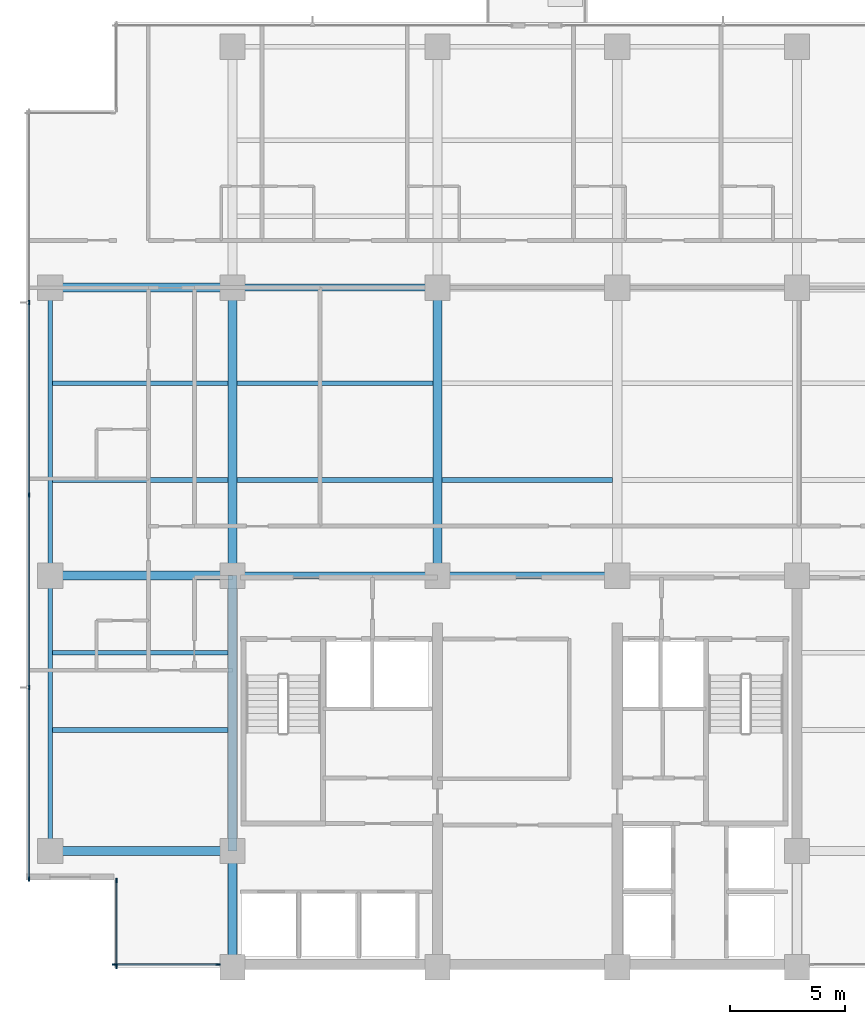
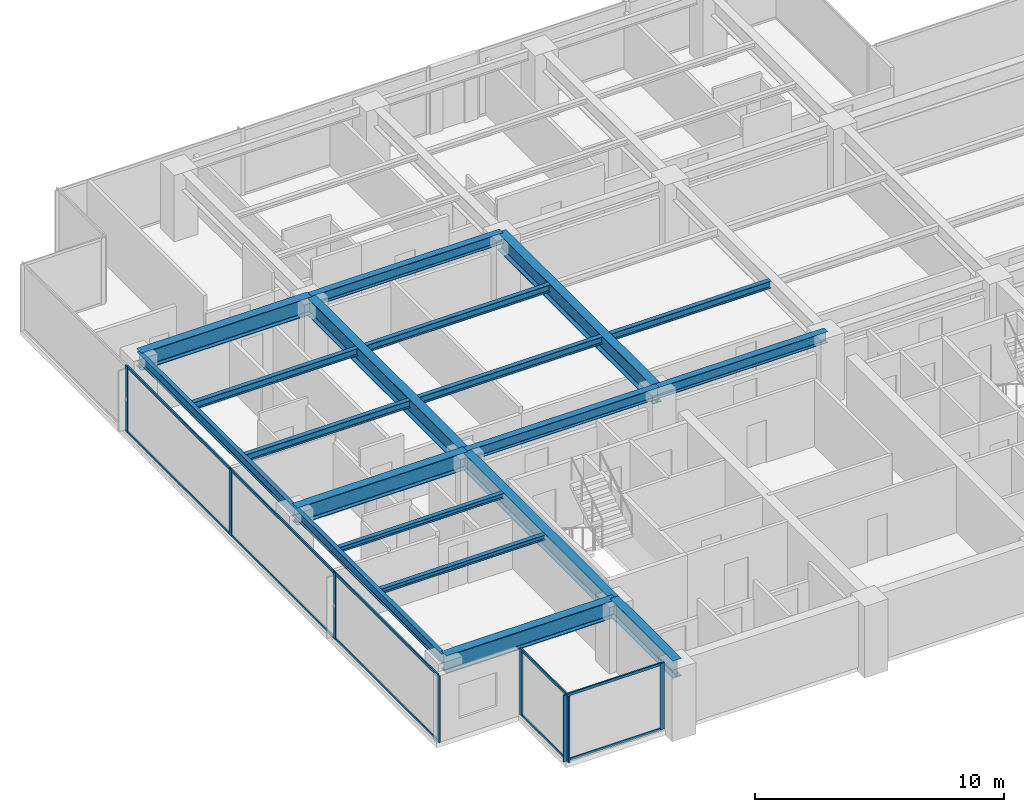
# One storey, part 2 of 15: 19 beams, 18 members, 3 elements without a shape of their own.
"""IFC4 building model written with IfcOpenShell, lengths in metres."""

from ifc_helpers import new_model, si_unit, direction, frame, origin, origin_2d, place, context, subcontext, project, spatial, rectangle, i_section, extrude, material, layer, layer_set, material_profile, profile_set, type_object, element, aggregate, save


model = new_model("IFC4")

# Units and contexts
model_context = context("Model", 3, precision=1e-05, world=origin(), true_north=direction((0.0, 1.0)))
body_context = subcontext(model_context, "Body", "Model", "MODEL_VIEW")
ifc_project = project(units=[si_unit("LENGTHUNIT", "METRE"), si_unit("AREAUNIT", "SQUARE_METRE"), si_unit("VOLUMEUNIT", "CUBIC_METRE"), si_unit("PLANEANGLEUNIT", "RADIAN"), si_unit("MASSUNIT", "GRAM", prefix="KILO")], contexts=[model_context])

# Site, building, storey
site_placement = place(None, origin())
site = spatial("IfcSite", under=ifc_project, at=site_placement, CompositionType="ELEMENT")
building_placement = place(site_placement, origin())
building = spatial("IfcBuilding", under=site, at=building_placement, Name="Qalmaran Belvedere Hotel", CompositionType="ELEMENT")
storey_placement = place(building_placement, frame((0.0, 0.0, 170.10009765625)))
storey = spatial("IfcBuildingStorey", under=building, at=storey_placement, Name="L43", CompositionType="ELEMENT", Elevation=170.10009765625)

# Beams
ifc_material_1 = material(Name="Steel S355JR", Category="steel")
ifc_material_profile_1 = material_profile(ifc_material_1, i_section(OverallWidth=0.201904296875, OverallDepth=0.2470703125, WebThickness=0.00732421875, FlangeThickness=0.010986328125, FilletRadius=0.011962890625, at=origin_2d()), Name="W250X49")
ifc_profile_set_1 = profile_set([ifc_material_profile_1], Name="Steel S355JR")
beam_type_1 = type_object("IfcBeamType", Name="BM-JST-W250X49", PredefinedType="JOIST", material=ifc_profile_set_1)
for number, where, z_axis, x_axis, name in (
    (1, (12.493896484375, 13.800048828125, 3.12646484375), (1.0, 0.0, 0.0), (0.0, 1.0, 0.0), "L43 West Wing Joist 038"),
    (2, (12.493896484375, 17.14990234375, 3.12646484375), (1.0, 0.0, 0.0), (0.0, 1.0, 0.0), "L43 West Wing Joist 040"),
):
    element("IfcBeam", number, at=place(storey_placement, frame(where, z_axis=z_axis, x_axis=x_axis)), inside=storey, type_object=beam_type_1, Name=name, PredefinedType="JOIST", context=body_context, shape_type="SweptSolid", body=[
        extrude(i_section(OverallWidth=0.201904296875, OverallDepth=0.2470703125, WebThickness=0.00732421875, FlangeThickness=0.010986328125, FilletRadius=0.011962890625, at=origin_2d()), origin(), (0.0, 0.0, 1.0), 7.608154296875),
    ])
ifc_material_profile_2 = material_profile(ifc_material_1, i_section(OverallWidth=0.39990234375, OverallDepth=0.85498046875, WebThickness=0.018310546875, FlangeThickness=0.029296875, FilletRadius=0.02392578125, at=origin_2d()), Name="W840X299")
ifc_profile_set_2 = profile_set([ifc_material_profile_2], Name="Steel S355JR")
beam_type_2 = type_object("IfcBeamType", Name="BM-PG3-W840X299", PredefinedType="USERDEFINED", material=ifc_profile_set_2)
for number, where, z_axis, x_axis, name in (
    (3, (20.300048828125, 20.5, 2.822509765625), (0.0, 1.0, 0.0), (-1.0, 0.0, 0.0), "L43 Mid-Plate N-S Girder 14"),
    (4, (29.199951171875, 20.5, 2.822509765625), (0.0, 1.0, 0.0), (-1.0, 0.0, 0.0), "L43 Mid-Plate N-S Girder 16"),
):
    element("IfcBeam", number, at=place(storey_placement, frame(where, z_axis=z_axis, x_axis=x_axis)), inside=storey, type_object=beam_type_2, Name=name, ObjectType="GIRDER", PredefinedType="USERDEFINED", context=body_context, shape_type="SweptSolid", body=[
        extrude(i_section(OverallWidth=0.39990234375, OverallDepth=0.85498046875, WebThickness=0.018310546875, FlangeThickness=0.029296875, FilletRadius=0.02392578125, at=origin_2d()), origin(), (0.0, 0.0, 1.0), 12.5),
    ])
for number, where, z_axis, x_axis, name in (
    (5, (12.39990234375, 8.550048828125, 2.822509765625), (1.0, 0.0, 0.0), (0.0, 1.0, 0.0), "L43 West Wing Girder 22"),
    (6, (12.39990234375, 20.5, 2.822509765625), (1.0, 0.0, 0.0), (0.0, 1.0, 0.0), "L43 West Wing Girder 23"),
    (7, (12.39990234375, 33.0, 2.822509765625), (1.0, 0.0, 0.0), (0.0, 1.0, 0.0), "L43 West Wing Girder 24"),
):
    element("IfcBeam", number, at=place(storey_placement, frame(where, z_axis=z_axis, x_axis=x_axis)), inside=storey, type_object=beam_type_2, Name=name, ObjectType="GIRDER", PredefinedType="USERDEFINED", context=body_context, shape_type="SweptSolid", body=[
        extrude(i_section(OverallWidth=0.39990234375, OverallDepth=0.85498046875, WebThickness=0.018310546875, FlangeThickness=0.029296875, FilletRadius=0.02392578125, at=origin_2d()), origin(), (0.0, 0.0, 1.0), 7.900146484375),
    ])
beam_1_placement = place(storey_placement, frame((20.300048828125, 3.5, 2.822509765625), z_axis=(0.0, 1.0, 0.0), x_axis=(-1.0, 0.0, 0.0)))
element("IfcBeam", 8, at=beam_1_placement, inside=storey, type_object=beam_type_2, Name="L43 West Core Edge Girder A", ObjectType="GIRDER", PredefinedType="USERDEFINED", context=body_context, shape_type="SweptSolid", body=[
    extrude(i_section(OverallWidth=0.39990234375, OverallDepth=0.85498046875, WebThickness=0.018310546875, FlangeThickness=0.029296875, FilletRadius=0.02392578125, at=origin_2d()), origin(), (0.0, 0.0, 1.0), 5.050048828125),
])
beam_2_placement = place(storey_placement, frame((20.300048828125, 8.550048828125, 2.822509765625), z_axis=(0.0, 1.0, 0.0), x_axis=(-1.0, 0.0, 0.0)))
element("IfcBeam", 9, at=beam_2_placement, inside=storey, type_object=beam_type_2, Name="L43 West Core Edge Girder B", ObjectType="GIRDER", PredefinedType="USERDEFINED", context=body_context, shape_type="SweptSolid", body=[
    extrude(i_section(OverallWidth=0.39990234375, OverallDepth=0.85498046875, WebThickness=0.018310546875, FlangeThickness=0.029296875, FilletRadius=0.02392578125, at=origin_2d()), origin(), (0.0, 0.0, 1.0), 11.949951171875),
])
ifc_material_profile_3 = material_profile(ifc_material_1, i_section(OverallWidth=0.205078125, OverallDepth=0.35400390625, WebThickness=0.009521484375, FlangeThickness=0.016845703125, FilletRadius=0.014892578125, at=origin_2d()), Name="W360X79")
ifc_profile_set_3 = profile_set([ifc_material_profile_3], Name="Steel S355JR")
beam_type_3 = type_object("IfcBeamType", Name="BM-SB3-W360X79", PredefinedType="BEAM", material=ifc_profile_set_3)
beam_3_placement = place(storey_placement, frame((12.493896484375, 24.64990234375, 3.072998046875), z_axis=(1.0, 0.0, 0.0), x_axis=(0.0, 1.0, 0.0)))
element("IfcBeam", 10, at=beam_3_placement, inside=storey, type_object=beam_type_3, Name="L43 West Secondary Beam 028", PredefinedType="BEAM", context=body_context, shape_type="SweptSolid", body=[
    extrude(i_section(OverallWidth=0.205078125, OverallDepth=0.35400390625, WebThickness=0.009521484375, FlangeThickness=0.016845703125, FilletRadius=0.014892578125, at=origin_2d()), origin(), (0.0, 0.0, 1.0), 7.608154296875),
])
beam_4_placement = place(storey_placement, frame((20.498046875, 24.64990234375, 3.072998046875), z_axis=(1.0, 0.0, 0.0), x_axis=(0.0, 1.0, 0.0)))
element("IfcBeam", 11, at=beam_4_placement, inside=storey, type_object=beam_type_3, Name="L43 Secondary Floor Beam 029", PredefinedType="BEAM", context=body_context, shape_type="SweptSolid", body=[
    extrude(i_section(OverallWidth=0.205078125, OverallDepth=0.35400390625, WebThickness=0.009521484375, FlangeThickness=0.016845703125, FilletRadius=0.014892578125, at=origin_2d()), origin(), (0.0, 0.0, 1.0), 8.50390625),
])
beam_5_placement = place(storey_placement, frame((29.39794921875, 24.64990234375, 3.072998046875), z_axis=(1.0, 0.0, 0.0), x_axis=(0.0, 1.0, 0.0)))
element("IfcBeam", 12, at=beam_5_placement, inside=storey, type_object=beam_type_3, Name="L43 Secondary Floor Beam 030", PredefinedType="BEAM", context=body_context, shape_type="SweptSolid", body=[
    extrude(i_section(OverallWidth=0.205078125, OverallDepth=0.35400390625, WebThickness=0.009521484375, FlangeThickness=0.016845703125, FilletRadius=0.014892578125, at=origin_2d()), origin(), (0.0, 0.0, 1.0), 7.404052734375),
])
beam_6_placement = place(storey_placement, frame((12.493896484375, 28.85009765625, 3.072998046875), z_axis=(1.0, 0.0, 0.0), x_axis=(0.0, 1.0, 0.0)))
element("IfcBeam", 13, at=beam_6_placement, inside=storey, type_object=beam_type_3, Name="L43 West Secondary Beam 033", PredefinedType="BEAM", context=body_context, shape_type="SweptSolid", body=[
    extrude(i_section(OverallWidth=0.205078125, OverallDepth=0.35400390625, WebThickness=0.009521484375, FlangeThickness=0.016845703125, FilletRadius=0.014892578125, at=origin_2d()), origin(), (0.0, 0.0, 1.0), 7.608154296875),
])
beam_7_placement = place(storey_placement, frame((20.498046875, 28.85009765625, 3.072998046875), z_axis=(1.0, 0.0, 0.0), x_axis=(0.0, 1.0, 0.0)))
element("IfcBeam", 14, at=beam_7_placement, inside=storey, type_object=beam_type_3, Name="L43 Secondary Floor Beam 034", PredefinedType="BEAM", context=body_context, shape_type="SweptSolid", body=[
    extrude(i_section(OverallWidth=0.205078125, OverallDepth=0.35400390625, WebThickness=0.009521484375, FlangeThickness=0.016845703125, FilletRadius=0.014892578125, at=origin_2d()), origin(), (0.0, 0.0, 1.0), 8.50390625),
])
ifc_material_profile_4 = material_profile(ifc_material_1, i_section(OverallWidth=0.19189453125, OverallDepth=0.462890625, WebThickness=0.010498046875, FlangeThickness=0.017578125, FilletRadius=0.01611328125, at=origin_2d()), Name="W460X89")
ifc_profile_set_4 = profile_set([ifc_material_profile_4], Name="Steel S355JR")
beam_type_4 = type_object("IfcBeamType", Name="BM-SP2-W460X89", PredefinedType="SPANDREL", material=ifc_profile_set_4)
beam_8_placement = place(storey_placement, frame((12.39990234375, 8.550048828125, 3.018310546875), z_axis=(0.0, 1.0, 0.0), x_axis=(-1.0, 0.0, 0.0)))
element("IfcBeam", 15, at=beam_8_placement, inside=storey, type_object=beam_type_4, Name="L43 Perimeter Spandrel 01", PredefinedType="SPANDREL", context=body_context, shape_type="SweptSolid", body=[
    extrude(i_section(OverallWidth=0.19189453125, OverallDepth=0.462890625, WebThickness=0.010498046875, FlangeThickness=0.017578125, FilletRadius=0.01611328125, at=origin_2d()), origin(), (0.0, 0.0, 1.0), 11.949951171875),
])
beam_9_placement = place(storey_placement, frame((12.39990234375, 20.5, 3.018310546875), z_axis=(0.0, 1.0, 0.0), x_axis=(-1.0, 0.0, 0.0)))
element("IfcBeam", 16, at=beam_9_placement, inside=storey, type_object=beam_type_4, Name="L43 Perimeter Spandrel 02", PredefinedType="SPANDREL", context=body_context, shape_type="SweptSolid", body=[
    extrude(i_section(OverallWidth=0.19189453125, OverallDepth=0.462890625, WebThickness=0.010498046875, FlangeThickness=0.017578125, FilletRadius=0.01611328125, at=origin_2d()), origin(), (0.0, 0.0, 1.0), 12.5),
])
ifc_material_profile_5 = material_profile(ifc_material_1, i_section(OverallWidth=0.31201171875, OverallDepth=0.54296875, WebThickness=0.0126953125, FlangeThickness=0.020263671875, FilletRadius=0.01806640625, at=origin_2d()), Name="W530X150")
ifc_profile_set_5 = profile_set([ifc_material_profile_5], Name="Steel S355JR")
beam_type_5 = type_object("IfcBeamType", Name="BM-Z3-W530X150", PredefinedType="USERDEFINED", material=ifc_profile_set_5)
beam_10_placement = place(storey_placement, frame((20.300048828125, 20.5, 2.978515625), z_axis=(1.0, 0.0, 0.0), x_axis=(0.0, 1.0, 0.0)))
element("IfcBeam", 17, at=beam_10_placement, inside=storey, type_object=beam_type_5, Name="L43 Interior E-W Girder 08", ObjectType="GIRDER", PredefinedType="USERDEFINED", context=body_context, shape_type="SweptSolid", body=[
    extrude(i_section(OverallWidth=0.31201171875, OverallDepth=0.54296875, WebThickness=0.0126953125, FlangeThickness=0.020263671875, FilletRadius=0.01806640625, at=origin_2d()), origin(), (0.0, 0.0, 1.0), 8.89990234375),
])
beam_11_placement = place(storey_placement, frame((29.199951171875, 20.5, 2.978515625), z_axis=(1.0, 0.0, 0.0), x_axis=(0.0, 1.0, 0.0)))
element("IfcBeam", 18, at=beam_11_placement, inside=storey, type_object=beam_type_5, Name="L43 Interior E-W Girder 09", ObjectType="GIRDER", PredefinedType="USERDEFINED", context=body_context, shape_type="SweptSolid", body=[
    extrude(i_section(OverallWidth=0.31201171875, OverallDepth=0.54296875, WebThickness=0.0126953125, FlangeThickness=0.020263671875, FilletRadius=0.01806640625, at=origin_2d()), origin(), (0.0, 0.0, 1.0), 7.800048828125),
])
beam_12_placement = place(storey_placement, frame((20.300048828125, 33.0, 2.978515625), z_axis=(1.0, 0.0, 0.0), x_axis=(0.0, 1.0, 0.0)))
element("IfcBeam", 19, at=beam_12_placement, inside=storey, type_object=beam_type_5, Name="L43 Interior E-W Girder 11", ObjectType="GIRDER", PredefinedType="USERDEFINED", context=body_context, shape_type="SweptSolid", body=[
    extrude(i_section(OverallWidth=0.31201171875, OverallDepth=0.54296875, WebThickness=0.0126953125, FlangeThickness=0.020263671875, FilletRadius=0.01806640625, at=origin_2d()), origin(), (0.0, 0.0, 1.0), 8.89990234375),
])

# Curtain wall, members
ifc_material_2 = material(Name="Anodised Bronze Aluminium", Category="aluminium")
ifc_layer = layer(ifc_material_2, 0.195068359375, Name="Anodised Bronze Aluminium")
ifc_layer_set = layer_set([ifc_layer], Name="Anodised Bronze Aluminium")
curtain_wall_type = type_object("IfcCurtainWallType", Name="CW4-TOWER-HIGHMID", PredefinedType="NOTDEFINED", material=ifc_layer_set)
curtain_wall_1_placement = place(storey_placement, origin())
curtain_wall_1 = element("IfcCurtainWall", 20, at=curtain_wall_1_placement, inside=storey, type_object=curtain_wall_type, Name="L43 Curtain Wall CW4", PredefinedType="NOTDEFINED")
ifc_material_profile_6 = material_profile(ifc_material_2, rectangle(XDim=0.070068359375, YDim=0.18994140625, at=origin_2d()), Name="CWM70X190")
ifc_profile_set_6 = profile_set([ifc_material_profile_6], Name="Anodised Bronze Aluminium")
member_type_1 = type_object("IfcMemberType", Name="CWM-70X190", PredefinedType="MULLION", material=ifc_profile_set_6)
member_1_placement = place(storey_placement, frame((15.18505859375, 3.6201171875, 0.0), z_axis=(0.0, 0.0, 1.0), x_axis=(0.0, 1.0, 0.0)))
member_1 = element("IfcMember", 21, at=member_1_placement, type_object=member_type_1, Name="CW4 mullion 1", PredefinedType="MULLION", context=body_context, shape_type="SweptSolid", body=[
    extrude(rectangle(XDim=0.070068359375, YDim=0.18994140625, at=origin_2d()), origin(), (0.0, 0.0, 1.0), 3.25),
])
member_2_placement = place(storey_placement, frame((19.675048828125, 3.6201171875, 0.0), z_axis=(0.0, 0.0, 1.0), x_axis=(0.0, 1.0, 0.0)))
member_2 = element("IfcMember", 22, at=member_2_placement, type_object=member_type_1, Name="CW4 mullion 2", PredefinedType="MULLION", context=body_context, shape_type="SweptSolid", body=[
    extrude(rectangle(XDim=0.070068359375, YDim=0.18994140625, at=origin_2d()), origin(), (0.0, 0.0, 1.0), 3.25),
])

curtain_wall_2_placement = place(storey_placement, origin())
curtain_wall_2 = element("IfcCurtainWall", 23, at=curtain_wall_2_placement, inside=storey, type_object=curtain_wall_type, Name="L43 Curtain Wall CW4", PredefinedType="NOTDEFINED")
member_3_placement = place(storey_placement, frame((11.469970703125, 32.35009765625, 0.0), z_axis=(0.0, 0.0, 1.0), x_axis=(1.0, 0.0, 0.0)))
member_3 = element("IfcMember", 24, at=member_3_placement, type_object=member_type_1, Name="CW4 mullion 2", PredefinedType="MULLION", context=body_context, shape_type="SweptSolid", body=[
    extrude(rectangle(XDim=0.070068359375, YDim=0.18994140625, at=origin_2d()), origin(), (0.0, 0.0, 1.0), 3.25),
])
member_4_placement = place(storey_placement, frame((11.469970703125, 24.0, 0.0), z_axis=(0.0, 0.0, 1.0), x_axis=(1.0, 0.0, 0.0)))
member_4 = element("IfcMember", 25, at=member_4_placement, type_object=member_type_1, Name="CW4 mullion 3", PredefinedType="MULLION", context=body_context, shape_type="SweptSolid", body=[
    extrude(rectangle(XDim=0.070068359375, YDim=0.18994140625, at=origin_2d()), origin(), (0.0, 0.0, 1.0), 3.25),
])
member_5_placement = place(storey_placement, frame((11.469970703125, 15.64990234375, 0.0), z_axis=(0.0, 0.0, 1.0), x_axis=(1.0, 0.0, 0.0)))
member_5 = element("IfcMember", 26, at=member_5_placement, type_object=member_type_1, Name="CW4 mullion 4", PredefinedType="MULLION", context=body_context, shape_type="SweptSolid", body=[
    extrude(rectangle(XDim=0.070068359375, YDim=0.18994140625, at=origin_2d()), origin(), (0.0, 0.0, 1.0), 3.25),
])
member_6_placement = place(storey_placement, frame((11.469970703125, 7.3349609375, 0.0), z_axis=(0.0, 0.0, 1.0), x_axis=(1.0, 0.0, 0.0)))
member_6 = element("IfcMember", 27, at=member_6_placement, type_object=member_type_1, Name="CW4 mullion 5", PredefinedType="MULLION", context=body_context, shape_type="SweptSolid", body=[
    extrude(rectangle(XDim=0.070068359375, YDim=0.18994140625, at=origin_2d()), origin(), (0.0, 0.0, 1.0), 3.25),
])

curtain_wall_3_placement = place(storey_placement, origin())
curtain_wall_3 = element("IfcCurtainWall", 28, at=curtain_wall_3_placement, inside=storey, type_object=curtain_wall_type, Name="L43 Curtain Wall CW4", PredefinedType="NOTDEFINED")
member_7_placement = place(storey_placement, frame((15.27001953125, 7.264892578125, 0.0), z_axis=(0.0, 0.0, 1.0), x_axis=(1.0, 0.0, 0.0)))
member_7 = element("IfcMember", 29, at=member_7_placement, type_object=member_type_1, Name="CW4 mullion 1", PredefinedType="MULLION", context=body_context, shape_type="SweptSolid", body=[
    extrude(rectangle(XDim=0.070068359375, YDim=0.18994140625, at=origin_2d()), origin(), (0.0, 0.0, 1.0), 3.25),
])
member_8_placement = place(storey_placement, frame((15.27001953125, 3.534912109375, 0.0), z_axis=(0.0, 0.0, 1.0), x_axis=(1.0, 0.0, 0.0)))
member_8 = element("IfcMember", 30, at=member_8_placement, type_object=member_type_1, Name="CW4 mullion 2", PredefinedType="MULLION", context=body_context, shape_type="SweptSolid", body=[
    extrude(rectangle(XDim=0.070068359375, YDim=0.18994140625, at=origin_2d()), origin(), (0.0, 0.0, 1.0), 3.25),
])

# Member
ifc_material_profile_7 = material_profile(ifc_material_2, rectangle(XDim=0.06494140625, YDim=0.1298828125, at=origin_2d()), Name="CWT65X130")
ifc_profile_set_7 = profile_set([ifc_material_profile_7], Name="Anodised Bronze Aluminium")
member_type_2 = type_object("IfcMemberType", Name="CWT-65X130", PredefinedType="USERDEFINED", material=ifc_profile_set_7)
member_9_placement = place(storey_placement, frame((15.219970703125, 3.6201171875, 0.032470703125), z_axis=(1.0, 0.0, 0.0), x_axis=(0.0, 1.0, 0.0)))
member_9 = element("IfcMember", 31, at=member_9_placement, type_object=member_type_2, Name="CW4 transom 1.1", ObjectType="TRANSOM", PredefinedType="USERDEFINED", context=body_context, shape_type="SweptSolid", body=[
    extrude(rectangle(XDim=0.06494140625, YDim=0.1298828125, at=origin_2d()), origin(), (0.0, 0.0, 1.0), 4.419921875),
])

member_10_placement = place(storey_placement, frame((15.219970703125, 3.6201171875, 3.21728515625), z_axis=(1.0, 0.0, 0.0), x_axis=(0.0, 1.0, 0.0)))
member_10 = element("IfcMember", 32, at=member_10_placement, type_object=member_type_2, Name="CW4 transom 1.2", ObjectType="TRANSOM", PredefinedType="USERDEFINED", context=body_context, shape_type="SweptSolid", body=[
    extrude(rectangle(XDim=0.06494140625, YDim=0.1298828125, at=origin_2d()), origin(), (0.0, 0.0, 1.0), 4.419921875),
])

aggregate(curtain_wall_1, [member_1, member_2, member_9, member_10])

member_11_placement = place(storey_placement, frame((11.469970703125, 32.31494140625, 0.032470703125), z_axis=(0.0, -1.0, 0.0), x_axis=(1.0, 0.0, 0.0)))
member_11 = element("IfcMember", 33, at=member_11_placement, type_object=member_type_2, Name="CW4 transom 2.1", ObjectType="TRANSOM", PredefinedType="USERDEFINED", context=body_context, shape_type="SweptSolid", body=[
    extrude(rectangle(XDim=0.06494140625, YDim=0.1298828125, at=origin_2d()), origin(), (0.0, 0.0, 1.0), 8.280029296875),
])

member_12_placement = place(storey_placement, frame((11.469970703125, 32.31494140625, 3.21728515625), z_axis=(0.0, -1.0, 0.0), x_axis=(1.0, 0.0, 0.0)))
member_12 = element("IfcMember", 34, at=member_12_placement, type_object=member_type_2, Name="CW4 transom 2.2", ObjectType="TRANSOM", PredefinedType="USERDEFINED", context=body_context, shape_type="SweptSolid", body=[
    extrude(rectangle(XDim=0.06494140625, YDim=0.1298828125, at=origin_2d()), origin(), (0.0, 0.0, 1.0), 8.280029296875),
])

member_13_placement = place(storey_placement, frame((11.469970703125, 23.965087890625, 0.032470703125), z_axis=(0.0, -1.0, 0.0), x_axis=(1.0, 0.0, 0.0)))
member_13 = element("IfcMember", 35, at=member_13_placement, type_object=member_type_2, Name="CW4 transom 3.1", ObjectType="TRANSOM", PredefinedType="USERDEFINED", context=body_context, shape_type="SweptSolid", body=[
    extrude(rectangle(XDim=0.06494140625, YDim=0.1298828125, at=origin_2d()), origin(), (0.0, 0.0, 1.0), 8.280029296875),
])

member_14_placement = place(storey_placement, frame((11.469970703125, 23.965087890625, 3.21728515625), z_axis=(0.0, -1.0, 0.0), x_axis=(1.0, 0.0, 0.0)))
member_14 = element("IfcMember", 36, at=member_14_placement, type_object=member_type_2, Name="CW4 transom 3.2", ObjectType="TRANSOM", PredefinedType="USERDEFINED", context=body_context, shape_type="SweptSolid", body=[
    extrude(rectangle(XDim=0.06494140625, YDim=0.1298828125, at=origin_2d()), origin(), (0.0, 0.0, 1.0), 8.280029296875),
])

member_15_placement = place(storey_placement, frame((11.469970703125, 15.614990234375, 0.032470703125), z_axis=(0.0, -1.0, 0.0), x_axis=(1.0, 0.0, 0.0)))
member_15 = element("IfcMember", 37, at=member_15_placement, type_object=member_type_2, Name="CW4 transom 4.1", ObjectType="TRANSOM", PredefinedType="USERDEFINED", context=body_context, shape_type="SweptSolid", body=[
    extrude(rectangle(XDim=0.06494140625, YDim=0.1298828125, at=origin_2d()), origin(), (0.0, 0.0, 1.0), 8.244873046875),
])

member_16_placement = place(storey_placement, frame((11.469970703125, 15.614990234375, 3.21728515625), z_axis=(0.0, -1.0, 0.0), x_axis=(1.0, 0.0, 0.0)))
member_16 = element("IfcMember", 38, at=member_16_placement, type_object=member_type_2, Name="CW4 transom 4.2", ObjectType="TRANSOM", PredefinedType="USERDEFINED", context=body_context, shape_type="SweptSolid", body=[
    extrude(rectangle(XDim=0.06494140625, YDim=0.1298828125, at=origin_2d()), origin(), (0.0, 0.0, 1.0), 8.244873046875),
])

aggregate(curtain_wall_2, [member_3, member_4, member_5, member_6, member_11, member_12, member_13, member_14, member_15, member_16])

member_17_placement = place(storey_placement, frame((15.27001953125, 7.22998046875, 0.032470703125), z_axis=(0.0, -1.0, 0.0), x_axis=(1.0, 0.0, 0.0)))
member_17 = element("IfcMember", 39, at=member_17_placement, type_object=member_type_2, Name="CW4 transom 1.1", ObjectType="TRANSOM", PredefinedType="USERDEFINED", context=body_context, shape_type="SweptSolid", body=[
    extrude(rectangle(XDim=0.06494140625, YDim=0.1298828125, at=origin_2d()), origin(), (0.0, 0.0, 1.0), 3.659912109375),
])

member_18_placement = place(storey_placement, frame((15.27001953125, 7.22998046875, 3.21728515625), z_axis=(0.0, -1.0, 0.0), x_axis=(1.0, 0.0, 0.0)))
member_18 = element("IfcMember", 40, at=member_18_placement, type_object=member_type_2, Name="CW4 transom 1.2", ObjectType="TRANSOM", PredefinedType="USERDEFINED", context=body_context, shape_type="SweptSolid", body=[
    extrude(rectangle(XDim=0.06494140625, YDim=0.1298828125, at=origin_2d()), origin(), (0.0, 0.0, 1.0), 3.659912109375),
])

aggregate(curtain_wall_3, [member_7, member_8, member_17, member_18])

save(model, "model.ifc")
